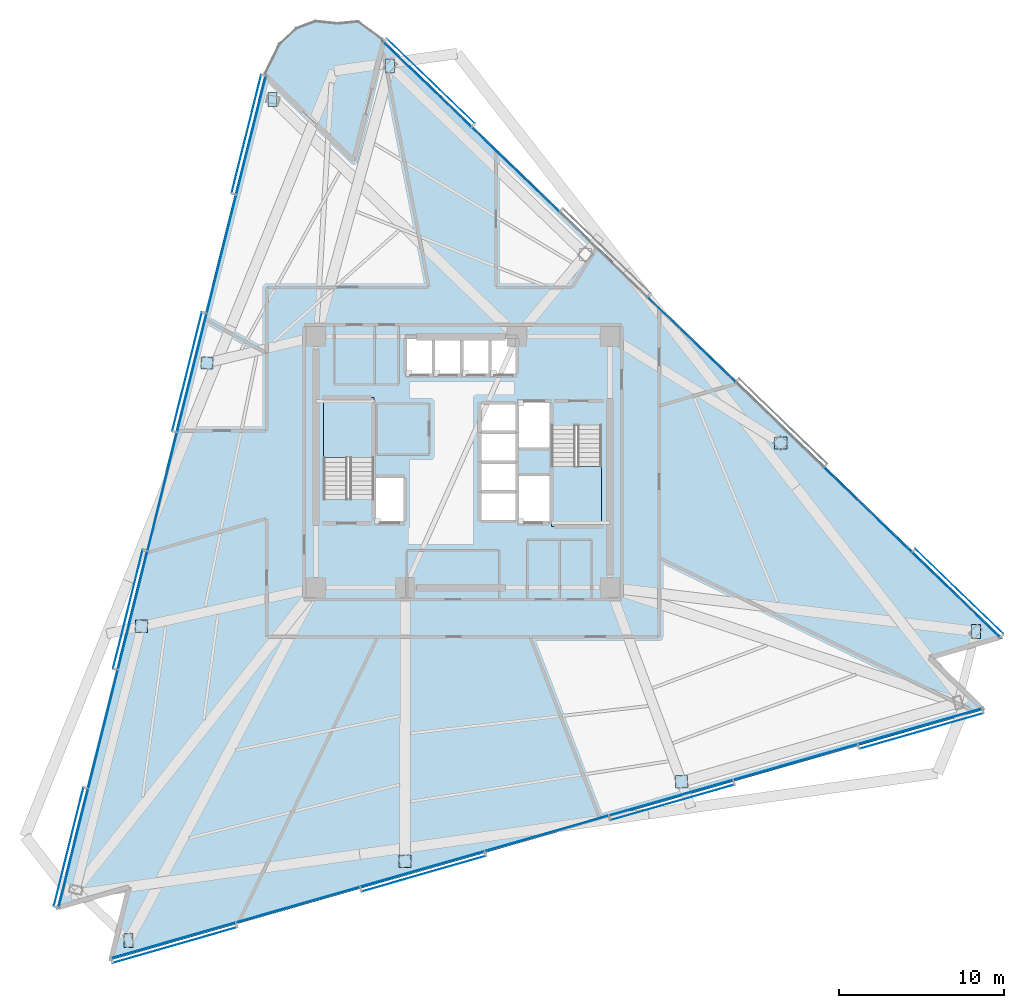
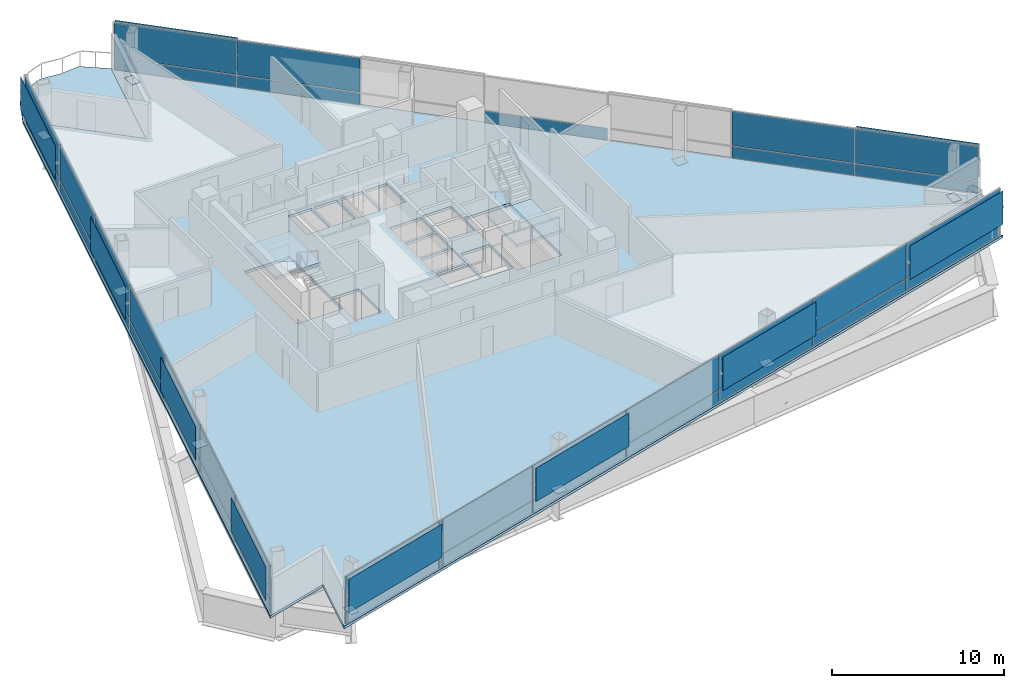
# One storey, part 10 of 21: 56 plates, 4 slabs, 5 elements without a shape of their own.
"""IFC4 building model written with IfcOpenShell, lengths in metres."""

import ifcopenshell
import ifcopenshell.guid

model = None  # the IFC model being written
_history = None  # IfcOwnerHistory: only IFC2X3 demands one
_inside = {}  # id of a spatial element -> (the spatial element, [elements in it])
_under = {}  # id of a project, library or spatial element -> (it, [spatial elements below it])
_declared = {}  # id of a project -> (the project, [libraries it declares])
_typed = {}  # id of a type object -> (the type object, [elements of that type])
_made_of = {}  # id of a material, layer set ... -> (it, [elements and type objects made of it])


def new_model(schema):
    """Start an empty IFC model of exactly this schema.

    Asked for "IFC4X3", IfcOpenShell would pick the latest addendum, in which some entities
    have other attributes; the version numbers below select the first issue.
    IFC2X3 requires an IfcOwnerHistory on every rooted entity: one is made here for all.
    """
    global model, _history
    if schema == "IFC4X3":
        model = ifcopenshell.file(schema_version=(4, 3, 0, 0))
    else:
        model = ifcopenshell.file(schema=schema)
    _inside.clear()
    _under.clear()
    _declared.clear()
    _typed.clear()
    _made_of.clear()
    _history = None
    if model.schema == "IFC2X3":
        org = make("IfcOrganization", Name="unknown")
        user = make(
            "IfcPersonAndOrganization",
            ThePerson=make("IfcPerson", FamilyName="unknown"),
            TheOrganization=org,
        )
        app = make(
            "IfcApplication",
            ApplicationDeveloper=org,
            Version="unknown",
            ApplicationFullName="unknown",
            ApplicationIdentifier="unknown",
        )
        _history = make(
            "IfcOwnerHistory",
            OwningUser=user,
            OwningApplication=app,
            ChangeAction="ADDED",
            CreationDate=0,
        )
    return model


def make(cls, **values):
    """One entity of the class cls with the attributes given. An attribute that is None is left unset."""
    return model.create_entity(
        cls, **{name: value for name, value in values.items() if value is not None}
    )


def rooted(cls, **values):
    """An entity with a GlobalId (a new one), such as an element, a storey or a relation."""
    return make(cls, GlobalId=ifcopenshell.guid.new(), OwnerHistory=_history, **values)


def si_unit(unit_type, name, prefix=None):
    """IfcSIUnit, for example si_unit("LENGTHUNIT", "METRE", prefix="MILLI")."""
    return make("IfcSIUnit", UnitType=unit_type, Prefix=prefix, Name=name)


def assignment(units):
    """IfcUnitAssignment: the units of a project."""
    return None if units is None else make("IfcUnitAssignment", Units=units)


def point(xyz):
    """IfcCartesianPoint."""
    return None if xyz is None else make("IfcCartesianPoint", Coordinates=xyz)


def direction(xyz):
    """IfcDirection."""
    return None if xyz is None else make("IfcDirection", DirectionRatios=xyz)


def frame(location, z_axis=None, x_axis=None):
    """IfcAxis2Placement3D, a coordinate frame: its origin and axes. An axis left out is left unset."""
    return make(
        "IfcAxis2Placement3D",
        Location=point(location),
        Axis=direction(z_axis),
        RefDirection=direction(x_axis),
    )


def frame_2d(location, x_axis=None):
    """IfcAxis2Placement2D, a coordinate frame in the plane: its origin and x axis."""
    return make(
        "IfcAxis2Placement2D", Location=point(location), RefDirection=direction(x_axis)
    )


def origin():
    """The frame at (0, 0, 0) with its axes left unset."""
    return frame((0.0, 0.0, 0.0))


def origin_2d():
    """The frame at (0, 0) in the plane with its x axis left unset."""
    return frame_2d((0.0, 0.0))


def place(relative_to, where):
    """IfcLocalPlacement: puts the frame where relative to a parent placement (None: the world)."""
    return make(
        "IfcLocalPlacement", PlacementRelTo=relative_to, RelativePlacement=where
    )


def context(
    kind, dimensions, precision=None, world=None, true_north=None, identifier=None
):
    """IfcGeometricRepresentationContext, for example the 3D "Model" context."""
    return make(
        "IfcGeometricRepresentationContext",
        ContextIdentifier=identifier,
        ContextType=kind,
        CoordinateSpaceDimension=dimensions,
        Precision=precision,
        WorldCoordinateSystem=world,
        TrueNorth=true_north,
    )


def subcontext(parent, identifier, kind, view, scale=None):
    """IfcGeometricRepresentationSubContext, for example "Body" below "Model"."""
    return make(
        "IfcGeometricRepresentationSubContext",
        ContextIdentifier=identifier,
        ContextType=kind,
        ParentContext=parent,
        TargetScale=scale,
        TargetView=view,
    )


def project(units=None, contexts=None):
    """IfcProject with its units and contexts."""
    return rooted(
        "IfcProject",
        Name="project",
        RepresentationContexts=contexts,
        UnitsInContext=assignment(units),
    )


def spatial(cls, under=None, at=None, **own):
    """A site, building, storey or space (cls), placed at a placement, below another one or the project."""
    s = rooted(cls, ObjectPlacement=at, **own)
    if under is not None:
        _under.setdefault(under.id(), (under, []))[1].append(s)
    return s


def polyline(points):
    """IfcPolyline through the points."""
    return make("IfcPolyline", Points=[point(p) for p in points])


def profile(cls, at=None, kind="AREA", **sizes):
    """A parametric profile (cls). Its sizes go by their IFC names, for example OverallWidth=200.0."""
    return make(cls, ProfileType=kind, Position=at, **sizes)


def rectangle(**sizes):
    """IfcRectangleProfileDef."""
    return profile("IfcRectangleProfileDef", **sizes)


def outline(outer, holes=None, kind="AREA"):
    """IfcArbitraryClosedProfileDef: a profile drawn as a closed curve; with holes, ...WithVoids."""
    if holes is None:
        return make("IfcArbitraryClosedProfileDef", ProfileType=kind, OuterCurve=outer)
    return make(
        "IfcArbitraryProfileDefWithVoids",
        ProfileType=kind,
        OuterCurve=outer,
        InnerCurves=holes,
    )


def extrude(swept, where, along, depth):
    """IfcExtrudedAreaSolid: the profile swept, set in the frame where, extruded along a direction by depth."""
    return make(
        "IfcExtrudedAreaSolid",
        SweptArea=swept,
        Position=where,
        ExtrudedDirection=direction(along),
        Depth=depth,
    )


def shape(context_of_items, identifier, shape_type, items):
    """IfcShapeRepresentation: the items that make up one representation, for example the "Body"."""
    return make(
        "IfcShapeRepresentation",
        ContextOfItems=context_of_items,
        RepresentationIdentifier=identifier,
        RepresentationType=shape_type,
        Items=items,
    )


def material(Name=None, Category=None):
    """IfcMaterial."""
    return make("IfcMaterial", Name=Name, Category=Category)


def layer(
    of_material, thickness, ventilated=None, Name=None, Category=None, Priority=None
):
    """IfcMaterialLayer: one layer of a wall or slab, of a material (None: an air gap)."""
    return make(
        "IfcMaterialLayer",
        Material=of_material,
        LayerThickness=thickness,
        IsVentilated=ventilated,
        Name=Name,
        Category=Category,
        Priority=Priority,
    )


def layer_set(layers, Name=None):
    """IfcMaterialLayerSet."""
    return make("IfcMaterialLayerSet", MaterialLayers=layers, LayerSetName=Name)


def made_of(thing, what):
    """Note that an element or type object is made of a material, layer set ...; save() writes the relation."""
    if what is not None:
        _made_of.setdefault(what.id(), (what, []))[1].append(thing)
    return thing


def type_object(cls, material=None, **own):
    """A type object (cls), such as IfcWallType, which elements share."""
    return made_of(rooted(cls, **own), material)


def element(
    cls,
    number,
    at=None,
    inside=None,
    cuts=None,
    type_object=None,
    material=None,
    context=None,
    identifier="Body",
    shape_type=None,
    held_by="IfcProductDefinitionShape",
    body=None,
    shapes=None,
    **own,
):
    """One element of the class cls, such as IfcWall. Its Tag is "e" and its number.

    at: its placement. inside: the storey or other place that contains it. cuts: it is an
    opening in that element (IfcRelVoidsElement). A single representation is given by context,
    identifier, shape_type and body (its items); several are given by shapes. held_by: the class
    of the entity that holds the representations. save() writes the other relations.
    """
    e = rooted(cls, Tag="e%d" % number, ObjectPlacement=at, **own)
    if body is not None:
        shapes = [shape(context, identifier, shape_type, body)]
    if shapes is not None:
        e.Representation = make(held_by, Representations=shapes)
    if inside is not None:
        _inside.setdefault(inside.id(), (inside, []))[1].append(e)
    if cuts is not None:
        rooted(
            "IfcRelVoidsElement", RelatingBuildingElement=cuts, RelatedOpeningElement=e
        )
    if type_object is not None:
        _typed.setdefault(type_object.id(), (type_object, []))[1].append(e)
    return made_of(e, material)


def aggregate(whole, parts):
    """IfcRelAggregates: a whole, such as a stair, and the parts it consists of."""
    return rooted("IfcRelAggregates", RelatingObject=whole, RelatedObjects=parts)


def save(model, path):
    """Write the relations noted so far, then the file.

    IfcRelAggregates (storeys below a building ...), IfcRelContainedInSpatialStructure (elements
    in a storey), IfcRelDefinesByType, IfcRelAssociatesMaterial and IfcRelDeclares: one each for
    every whole, place, type object, material and project.
    """
    for whole, parts in _under.values():
        aggregate(whole, parts)
    for where, things in _inside.values():
        rooted(
            "IfcRelContainedInSpatialStructure",
            RelatedElements=things,
            RelatingStructure=where,
        )
    for kind, things in _typed.values():
        rooted("IfcRelDefinesByType", RelatedObjects=things, RelatingType=kind)
    for what, things in _made_of.values():
        rooted("IfcRelAssociatesMaterial", RelatedObjects=things, RelatingMaterial=what)
    for by, libraries in _declared.values():
        rooted("IfcRelDeclares", RelatingContext=by, RelatedDefinitions=libraries)
    model.write(path)


model = new_model("IFC4")

# Units and contexts
model_context = context("Model", 3, precision=1e-05, world=origin(), true_north=direction((0.0, 1.0)))
body_context = subcontext(model_context, "Body", "Model", "MODEL_VIEW")
ifc_project = project(units=[si_unit("LENGTHUNIT", "METRE"), si_unit("AREAUNIT", "SQUARE_METRE"), si_unit("VOLUMEUNIT", "CUBIC_METRE"), si_unit("PLANEANGLEUNIT", "RADIAN"), si_unit("MASSUNIT", "GRAM", prefix="KILO")], contexts=[model_context])

# Site, building, storey
site_placement = place(None, origin())
site = spatial("IfcSite", under=ifc_project, at=site_placement, CompositionType="ELEMENT")
building_placement = place(site_placement, origin())
building = spatial("IfcBuilding", under=site, at=building_placement, Name="Tharavind Bronze Gate", CompositionType="ELEMENT")
storey_placement = place(building_placement, frame((0.0, 0.0, 86.10009765625)))
storey = spatial("IfcBuildingStorey", under=building, at=storey_placement, Name="L21", CompositionType="ELEMENT", Elevation=86.10009765625)

# Plates
ifc_material_1 = material(Name="Perforated Bronze Alloy", Category="bronze")
ifc_layer_1 = layer(ifc_material_1, 0.011962890625)
ifc_layer_set_1 = layer_set([ifc_layer_1], Name="Perforated Bronze Alloy")
plate_type_1 = type_object("IfcPlateType", Name="BRONZE PERFORATED SOLAR SCREEN", PredefinedType="USERDEFINED", material=ifc_layer_set_1)
for number, where, z_axis, x_axis, name in (
    (1, (-13.11669921875, 19.86865234375, 0.96630859375), (0.0, 0.0, 1.0), (-0.2419218956, -0.970295726276, 0.0), "CW-L21-S1 perforated bronze solar screen 1"),
    (2, (-16.7041015625, 5.480712890625, 0.96630859375), (0.0, 0.0, 1.0), (-0.2419218956, -0.970295726276, 0.0), "CW-L21-S1 perforated bronze solar screen 3"),
    (3, (-20.29150390625, -8.9072265625, 0.96630859375), (0.0, 0.0, 1.0), (-0.2419218956, -0.970295726276, 0.0), "CW-L21-S1 perforated bronze solar screen 5"),
    (4, (-23.878662109375, -23.295166015625, 0.96630859375), (0.0, 0.0, 1.0), (-0.2419218956, -0.970295726276, 0.0), "CW-L21-S1 perforated bronze solar screen 7"),
):
    element("IfcPlate", number, at=place(storey_placement, frame(where, z_axis=z_axis, x_axis=x_axis)), inside=storey, type_object=plate_type_1, Name=name, ObjectType="SCREEN", PredefinedType="USERDEFINED", context=body_context, shape_type="SweptSolid", body=[
        extrude(rectangle(XDim=7.394287109375, YDim=0.011962890625, at=origin_2d()), origin(), (0.0, 0.0, 1.0), 2.376953125),
    ])
for number, where, z_axis, x_axis, name in (
    (5, (-17.447509765625, -29.251220703125, 0.96630859375), (0.0, 0.0, 1.0), (0.961261695938, 0.275637355817, 0.0), "CW-L21-S2 perforated bronze solar screen 1"),
    (6, (-2.380615234375, -24.930908203125, 0.96630859375), (0.0, 0.0, 1.0), (0.961261695938, 0.275637355817, 0.0), "CW-L21-S2 perforated bronze solar screen 3"),
    (7, (12.686279296875, -20.610595703125, 0.96630859375), (0.0, 0.0, 1.0), (0.961261695938, 0.275637355817, 0.0), "CW-L21-S2 perforated bronze solar screen 5"),
    (8, (27.75341796875, -16.290283203125, 0.96630859375), (0.0, 0.0, 1.0), (0.961261695938, 0.275637355817, 0.0), "CW-L21-S2 perforated bronze solar screen 7"),
):
    element("IfcPlate", number, at=place(storey_placement, frame(where, z_axis=z_axis, x_axis=x_axis)), inside=storey, type_object=plate_type_1, Name=name, ObjectType="SCREEN", PredefinedType="USERDEFINED", context=body_context, shape_type="SweptSolid", body=[
        extrude(rectangle(XDim=7.817138671875, YDim=0.011962890625, at=origin_2d()), origin(), (0.0, 0.0, 1.0), 2.376953125),
    ])
for number, where, z_axis, x_axis, name in (
    (9, (30.05126953125, -7.8310546875, 0.96630859375), (0.0, 0.0, 1.0), (-0.719341012745, 0.694657114973, 0.0), "CW-L21-S3 perforated bronze solar screen 1"),
    (10, (-1.94873046875, 23.07080078125, 0.96630859375), (0.0, 0.0, 1.0), (-0.719341012745, 0.694657114973, 0.0), "CW-L21-S3 perforated bronze solar screen 7"),
):
    element("IfcPlate", number, at=place(storey_placement, frame(where, z_axis=z_axis, x_axis=x_axis)), inside=storey, type_object=plate_type_1, Name=name, ObjectType="SCREEN", PredefinedType="USERDEFINED", context=body_context, shape_type="SweptSolid", body=[
        extrude(rectangle(XDim=7.394287109375, YDim=0.011962890625, at=origin_2d()), origin(), (0.0, 0.0, 1.0), 2.376953125),
    ])

# Curtain wall, plates
ifc_material_2 = material(Name="Anodised Bronze Aluminium", Category="aluminium")
ifc_layer_2 = layer(ifc_material_2, 0.219970703125)
ifc_layer_set_2 = layer_set([ifc_layer_2], Name="Anodised Bronze Aluminium")
curtain_wall_type = type_object("IfcCurtainWallType", Name="UNITISED CURTAIN WALL LOWER OFFICE", PredefinedType="USERDEFINED", material=ifc_layer_set_2)
curtain_wall_1_placement = place(storey_placement, origin())
curtain_wall_1 = element("IfcCurtainWall", 11, at=curtain_wall_1_placement, inside=storey, type_object=curtain_wall_type, Name="L21 unitised curtain wall lower office CW-L21-S1", ObjectType="UNITISED CURTAIN WALL", PredefinedType="USERDEFINED")
ifc_material_3 = material(Name="Patinated Bronze Alloy Sheet", Category="bronze")
ifc_layer_3 = layer(ifc_material_3, 0.01611328125)
ifc_layer_set_3 = layer_set([ifc_layer_3], Name="Patinated Bronze Alloy Sheet")
plate_type_2 = type_object("IfcPlateType", Name="BRONZE SPANDREL CLADDING PANEL 16", PredefinedType="CURTAIN_PANEL", material=ifc_layer_set_3)
plate_1_placement = place(storey_placement, frame((-12.83056640625, 19.797119140625, 0.0263671875), z_axis=(0.0, 0.0, 1.0), x_axis=(-0.2419218956, -0.970295726276, 0.0)))
plate_1 = element("IfcPlate", 12, at=plate_1_placement, type_object=plate_type_2, Name="CW-L21-S1 bronze spandrel panel 1", PredefinedType="CURTAIN_PANEL", context=body_context, shape_type="SweptSolid", body=[
    extrude(rectangle(XDim=7.361083984375, YDim=0.01611328125, at=origin_2d()), origin(), (0.0, 0.0, 1.0), 0.846923828125),
])
plate_2_placement = place(storey_placement, frame((-14.624267578125, 12.603271484375, 0.0263671875), z_axis=(0.0, 0.0, 1.0), x_axis=(-0.2419218956, -0.970295726276, 0.0)))
plate_2 = element("IfcPlate", 13, at=plate_2_placement, type_object=plate_type_2, Name="CW-L21-S1 bronze spandrel panel 2", PredefinedType="CURTAIN_PANEL", context=body_context, shape_type="SweptSolid", body=[
    extrude(rectangle(XDim=7.361083984375, YDim=0.01611328125, at=origin_2d()), origin(), (0.0, 0.0, 1.0), 0.846923828125),
])
plate_3_placement = place(storey_placement, frame((-16.417724609375, 5.4091796875, 0.0263671875), z_axis=(0.0, 0.0, 1.0), x_axis=(-0.2419218956, -0.970295726276, 0.0)))
plate_3 = element("IfcPlate", 14, at=plate_3_placement, type_object=plate_type_2, Name="CW-L21-S1 bronze spandrel panel 3", PredefinedType="CURTAIN_PANEL", context=body_context, shape_type="SweptSolid", body=[
    extrude(rectangle(XDim=7.361083984375, YDim=0.01611328125, at=origin_2d()), origin(), (0.0, 0.0, 1.0), 0.846923828125),
])
plate_4_placement = place(storey_placement, frame((-18.21142578125, -1.78466796875, 0.0263671875), z_axis=(0.0, 0.0, 1.0), x_axis=(-0.2419218956, -0.970295726276, 0.0)))
plate_4 = element("IfcPlate", 15, at=plate_4_placement, type_object=plate_type_2, Name="CW-L21-S1 bronze spandrel panel 4", PredefinedType="CURTAIN_PANEL", context=body_context, shape_type="SweptSolid", body=[
    extrude(rectangle(XDim=7.361083984375, YDim=0.01611328125, at=origin_2d()), origin(), (0.0, 0.0, 1.0), 0.846923828125),
])
plate_5_placement = place(storey_placement, frame((-20.005126953125, -8.978759765625, 0.0263671875), z_axis=(0.0, 0.0, 1.0), x_axis=(-0.2419218956, -0.970295726276, 0.0)))
plate_5 = element("IfcPlate", 16, at=plate_5_placement, type_object=plate_type_2, Name="CW-L21-S1 bronze spandrel panel 5", PredefinedType="CURTAIN_PANEL", context=body_context, shape_type="SweptSolid", body=[
    extrude(rectangle(XDim=7.361083984375, YDim=0.01611328125, at=origin_2d()), origin(), (0.0, 0.0, 1.0), 0.846923828125),
])
plate_6_placement = place(storey_placement, frame((-21.798828125, -16.172607421875, 0.0263671875), z_axis=(0.0, 0.0, 1.0), x_axis=(-0.2419218956, -0.970295726276, 0.0)))
plate_6 = element("IfcPlate", 17, at=plate_6_placement, type_object=plate_type_2, Name="CW-L21-S1 bronze spandrel panel 6", PredefinedType="CURTAIN_PANEL", context=body_context, shape_type="SweptSolid", body=[
    extrude(rectangle(XDim=7.361083984375, YDim=0.01611328125, at=origin_2d()), origin(), (0.0, 0.0, 1.0), 0.846923828125),
])
plate_7_placement = place(storey_placement, frame((-23.592529296875, -23.36669921875, 0.0263671875), z_axis=(0.0, 0.0, 1.0), x_axis=(-0.2419218956, -0.970295726276, 0.0)))
plate_7 = element("IfcPlate", 18, at=plate_7_placement, type_object=plate_type_2, Name="CW-L21-S1 bronze spandrel panel 7", PredefinedType="CURTAIN_PANEL", context=body_context, shape_type="SweptSolid", body=[
    extrude(rectangle(XDim=7.361083984375, YDim=0.01611328125, at=origin_2d()), origin(), (0.0, 0.0, 1.0), 0.846923828125),
])

curtain_wall_2_placement = place(storey_placement, origin())
curtain_wall_2 = element("IfcCurtainWall", 19, at=curtain_wall_2_placement, inside=storey, type_object=curtain_wall_type, Name="L21 unitised curtain wall lower office CW-L21-S2", ObjectType="UNITISED CURTAIN WALL", PredefinedType="USERDEFINED")
plate_8_placement = place(storey_placement, frame((-17.52880859375, -28.9677734375, 0.0263671875), z_axis=(0.0, 0.0, 1.0), x_axis=(0.961261695938, 0.275637355817, 0.0)))
plate_8 = element("IfcPlate", 20, at=plate_8_placement, type_object=plate_type_2, Name="CW-L21-S2 bronze spandrel panel 1", PredefinedType="CURTAIN_PANEL", context=body_context, shape_type="SweptSolid", body=[
    extrude(rectangle(XDim=7.7841796875, YDim=0.01611328125, at=origin_2d()), origin(), (0.0, 0.0, 1.0), 0.846923828125),
])
plate_9_placement = place(storey_placement, frame((-9.995361328125, -26.8076171875, 0.0263671875), z_axis=(0.0, 0.0, 1.0), x_axis=(0.961261695938, 0.275637355817, 0.0)))
plate_9 = element("IfcPlate", 21, at=plate_9_placement, type_object=plate_type_2, Name="CW-L21-S2 bronze spandrel panel 2", PredefinedType="CURTAIN_PANEL", context=body_context, shape_type="SweptSolid", body=[
    extrude(rectangle(XDim=7.7841796875, YDim=0.01611328125, at=origin_2d()), origin(), (0.0, 0.0, 1.0), 0.846923828125),
])
plate_10_placement = place(storey_placement, frame((-2.4619140625, -24.647216796875, 0.0263671875), z_axis=(0.0, 0.0, 1.0), x_axis=(0.961261695938, 0.275637355817, 0.0)))
plate_10 = element("IfcPlate", 22, at=plate_10_placement, type_object=plate_type_2, Name="CW-L21-S2 bronze spandrel panel 3", PredefinedType="CURTAIN_PANEL", context=body_context, shape_type="SweptSolid", body=[
    extrude(rectangle(XDim=7.7841796875, YDim=0.01611328125, at=origin_2d()), origin(), (0.0, 0.0, 1.0), 0.846923828125),
])
plate_11_placement = place(storey_placement, frame((5.07177734375, -22.487060546875, 0.0263671875), z_axis=(0.0, 0.0, 1.0), x_axis=(0.961261695938, 0.275637355817, 0.0)))
plate_11 = element("IfcPlate", 23, at=plate_11_placement, type_object=plate_type_2, Name="CW-L21-S2 bronze spandrel panel 4", PredefinedType="CURTAIN_PANEL", context=body_context, shape_type="SweptSolid", body=[
    extrude(rectangle(XDim=7.7841796875, YDim=0.01611328125, at=origin_2d()), origin(), (0.0, 0.0, 1.0), 0.846923828125),
])
plate_12_placement = place(storey_placement, frame((12.60498046875, -20.326904296875, 0.0263671875), z_axis=(0.0, 0.0, 1.0), x_axis=(0.961261695938, 0.275637355817, 0.0)))
plate_12 = element("IfcPlate", 24, at=plate_12_placement, type_object=plate_type_2, Name="CW-L21-S2 bronze spandrel panel 5", PredefinedType="CURTAIN_PANEL", context=body_context, shape_type="SweptSolid", body=[
    extrude(rectangle(XDim=7.7841796875, YDim=0.01611328125, at=origin_2d()), origin(), (0.0, 0.0, 1.0), 0.846923828125),
])
plate_13_placement = place(storey_placement, frame((20.138671875, -18.166748046875, 0.0263671875), z_axis=(0.0, 0.0, 1.0), x_axis=(0.961261695938, 0.275637355817, 0.0)))
plate_13 = element("IfcPlate", 25, at=plate_13_placement, type_object=plate_type_2, Name="CW-L21-S2 bronze spandrel panel 6", PredefinedType="CURTAIN_PANEL", context=body_context, shape_type="SweptSolid", body=[
    extrude(rectangle(XDim=7.7841796875, YDim=0.01611328125, at=origin_2d()), origin(), (0.0, 0.0, 1.0), 0.846923828125),
])
plate_14_placement = place(storey_placement, frame((27.672119140625, -16.006591796875, 0.0263671875), z_axis=(0.0, 0.0, 1.0), x_axis=(0.961261695938, 0.275637355817, 0.0)))
plate_14 = element("IfcPlate", 26, at=plate_14_placement, type_object=plate_type_2, Name="CW-L21-S2 bronze spandrel panel 7", PredefinedType="CURTAIN_PANEL", context=body_context, shape_type="SweptSolid", body=[
    extrude(rectangle(XDim=7.7841796875, YDim=0.01611328125, at=origin_2d()), origin(), (0.0, 0.0, 1.0), 0.846923828125),
])

curtain_wall_3_placement = place(storey_placement, origin())
curtain_wall_3 = element("IfcCurtainWall", 27, at=curtain_wall_3_placement, inside=storey, type_object=curtain_wall_type, Name="L21 unitised curtain wall lower office CW-L21-S3", ObjectType="UNITISED CURTAIN WALL", PredefinedType="USERDEFINED")
plate_15_placement = place(storey_placement, frame((29.84619140625, -8.043212890625, 0.0263671875), z_axis=(0.0, 0.0, 1.0), x_axis=(-0.719341012745, 0.694657114973, 0.0)))
plate_15 = element("IfcPlate", 28, at=plate_15_placement, type_object=plate_type_2, Name="CW-L21-S3 bronze spandrel panel 1", PredefinedType="CURTAIN_PANEL", context=body_context, shape_type="SweptSolid", body=[
    extrude(rectangle(XDim=7.361083984375, YDim=0.01611328125, at=origin_2d()), origin(), (0.0, 0.0, 1.0), 0.846923828125),
])
plate_16_placement = place(storey_placement, frame((24.512939453125, -2.892822265625, 0.0263671875), z_axis=(0.0, 0.0, 1.0), x_axis=(-0.719341012745, 0.694657114973, 0.0)))
plate_16 = element("IfcPlate", 29, at=plate_16_placement, type_object=plate_type_2, Name="CW-L21-S3 bronze spandrel panel 2", PredefinedType="CURTAIN_PANEL", context=body_context, shape_type="SweptSolid", body=[
    extrude(rectangle(XDim=7.361083984375, YDim=0.01611328125, at=origin_2d()), origin(), (0.0, 0.0, 1.0), 0.846923828125),
])
plate_17_placement = place(storey_placement, frame((13.84619140625, 7.40771484375, 0.0263671875), z_axis=(0.0, 0.0, 1.0), x_axis=(-0.719341012745, 0.694657114973, 0.0)))
plate_17 = element("IfcPlate", 30, at=plate_17_placement, type_object=plate_type_2, Name="CW-L21-S3 bronze spandrel panel 4", PredefinedType="CURTAIN_PANEL", context=body_context, shape_type="SweptSolid", body=[
    extrude(rectangle(XDim=7.361083984375, YDim=0.01611328125, at=origin_2d()), origin(), (0.0, 0.0, 1.0), 0.846923828125),
])
plate_18_placement = place(storey_placement, frame((3.1796875, 17.70849609375, 0.0263671875), z_axis=(0.0, 0.0, 1.0), x_axis=(-0.719341012745, 0.694657114973, 0.0)))
plate_18 = element("IfcPlate", 31, at=plate_18_placement, type_object=plate_type_2, Name="CW-L21-S3 bronze spandrel panel 6", PredefinedType="CURTAIN_PANEL", context=body_context, shape_type="SweptSolid", body=[
    extrude(rectangle(XDim=7.361083984375, YDim=0.01611328125, at=origin_2d()), origin(), (0.0, 0.0, 1.0), 0.846923828125),
])
plate_19_placement = place(storey_placement, frame((-2.15380859375, 22.858642578125, 0.0263671875), z_axis=(0.0, 0.0, 1.0), x_axis=(-0.719341012745, 0.694657114973, 0.0)))
plate_19 = element("IfcPlate", 32, at=plate_19_placement, type_object=plate_type_2, Name="CW-L21-S3 bronze spandrel panel 7", PredefinedType="CURTAIN_PANEL", context=body_context, shape_type="SweptSolid", body=[
    extrude(rectangle(XDim=7.361083984375, YDim=0.01611328125, at=origin_2d()), origin(), (0.0, 0.0, 1.0), 0.846923828125),
])

# Plate
ifc_material_4 = material(Name="Low-E Double Glazing", Category="glass")
ifc_layer_4 = layer(ifc_material_4, 0.031982421875)
ifc_layer_set_4 = layer_set([ifc_layer_4], Name="Low-E Double Glazing")
plate_type_3 = type_object("IfcPlateType", Name="DOUBLE GLAZED FACADE PANEL 32", PredefinedType="CURTAIN_PANEL", material=ifc_layer_set_4)
plate_20_placement = place(storey_placement, frame((-12.83056640625, 19.797119140625, 0.92626953125), z_axis=(0.0, 0.0, 1.0), x_axis=(-0.2419218956, -0.970295726276, 0.0)))
plate_20 = element("IfcPlate", 33, at=plate_20_placement, type_object=plate_type_3, Name="CW-L21-S1 vision glazing panel 1", PredefinedType="CURTAIN_PANEL", context=body_context, shape_type="SweptSolid", body=[
    extrude(rectangle(XDim=7.361083984375, YDim=0.031982421875, at=origin_2d()), origin(), (0.0, 0.0, 1.0), 2.45703125),
])

plate_21_placement = place(storey_placement, frame((-14.624267578125, 12.603271484375, 0.92626953125), z_axis=(0.0, 0.0, 1.0), x_axis=(-0.2419218956, -0.970295726276, 0.0)))
plate_21 = element("IfcPlate", 34, at=plate_21_placement, type_object=plate_type_3, Name="CW-L21-S1 vision glazing panel 2", PredefinedType="CURTAIN_PANEL", context=body_context, shape_type="SweptSolid", body=[
    extrude(rectangle(XDim=7.361083984375, YDim=0.031982421875, at=origin_2d()), origin(), (0.0, 0.0, 1.0), 2.45703125),
])

plate_22_placement = place(storey_placement, frame((-16.417724609375, 5.4091796875, 0.92626953125), z_axis=(0.0, 0.0, 1.0), x_axis=(-0.2419218956, -0.970295726276, 0.0)))
plate_22 = element("IfcPlate", 35, at=plate_22_placement, type_object=plate_type_3, Name="CW-L21-S1 vision glazing panel 3", PredefinedType="CURTAIN_PANEL", context=body_context, shape_type="SweptSolid", body=[
    extrude(rectangle(XDim=7.361083984375, YDim=0.031982421875, at=origin_2d()), origin(), (0.0, 0.0, 1.0), 2.45703125),
])

plate_23_placement = place(storey_placement, frame((-18.21142578125, -1.78466796875, 0.92626953125), z_axis=(0.0, 0.0, 1.0), x_axis=(-0.2419218956, -0.970295726276, 0.0)))
plate_23 = element("IfcPlate", 36, at=plate_23_placement, type_object=plate_type_3, Name="CW-L21-S1 vision glazing panel 4", PredefinedType="CURTAIN_PANEL", context=body_context, shape_type="SweptSolid", body=[
    extrude(rectangle(XDim=7.361083984375, YDim=0.031982421875, at=origin_2d()), origin(), (0.0, 0.0, 1.0), 2.45703125),
])

plate_24_placement = place(storey_placement, frame((-20.005126953125, -8.978759765625, 0.92626953125), z_axis=(0.0, 0.0, 1.0), x_axis=(-0.2419218956, -0.970295726276, 0.0)))
plate_24 = element("IfcPlate", 37, at=plate_24_placement, type_object=plate_type_3, Name="CW-L21-S1 vision glazing panel 5", PredefinedType="CURTAIN_PANEL", context=body_context, shape_type="SweptSolid", body=[
    extrude(rectangle(XDim=7.361083984375, YDim=0.031982421875, at=origin_2d()), origin(), (0.0, 0.0, 1.0), 2.45703125),
])

plate_25_placement = place(storey_placement, frame((-21.798828125, -16.172607421875, 0.92626953125), z_axis=(0.0, 0.0, 1.0), x_axis=(-0.2419218956, -0.970295726276, 0.0)))
plate_25 = element("IfcPlate", 38, at=plate_25_placement, type_object=plate_type_3, Name="CW-L21-S1 vision glazing panel 6", PredefinedType="CURTAIN_PANEL", context=body_context, shape_type="SweptSolid", body=[
    extrude(rectangle(XDim=7.361083984375, YDim=0.031982421875, at=origin_2d()), origin(), (0.0, 0.0, 1.0), 2.45703125),
])

plate_26_placement = place(storey_placement, frame((-23.592529296875, -23.36669921875, 0.92626953125), z_axis=(0.0, 0.0, 1.0), x_axis=(-0.2419218956, -0.970295726276, 0.0)))
plate_26 = element("IfcPlate", 39, at=plate_26_placement, type_object=plate_type_3, Name="CW-L21-S1 vision glazing panel 7", PredefinedType="CURTAIN_PANEL", context=body_context, shape_type="SweptSolid", body=[
    extrude(rectangle(XDim=7.361083984375, YDim=0.031982421875, at=origin_2d()), origin(), (0.0, 0.0, 1.0), 2.45703125),
])

aggregate(curtain_wall_1, [plate_1, plate_20, plate_2, plate_21, plate_3, plate_22, plate_4, plate_23, plate_5, plate_24, plate_6, plate_25, plate_7, plate_26])

plate_27_placement = place(storey_placement, frame((-17.52880859375, -28.9677734375, 0.92626953125), z_axis=(0.0, 0.0, 1.0), x_axis=(0.961261695938, 0.275637355817, 0.0)))
plate_27 = element("IfcPlate", 40, at=plate_27_placement, type_object=plate_type_3, Name="CW-L21-S2 vision glazing panel 1", PredefinedType="CURTAIN_PANEL", context=body_context, shape_type="SweptSolid", body=[
    extrude(rectangle(XDim=7.7841796875, YDim=0.031982421875, at=origin_2d()), origin(), (0.0, 0.0, 1.0), 2.45703125),
])

plate_28_placement = place(storey_placement, frame((-9.995361328125, -26.8076171875, 0.92626953125), z_axis=(0.0, 0.0, 1.0), x_axis=(0.961261695938, 0.275637355817, 0.0)))
plate_28 = element("IfcPlate", 41, at=plate_28_placement, type_object=plate_type_3, Name="CW-L21-S2 vision glazing panel 2", PredefinedType="CURTAIN_PANEL", context=body_context, shape_type="SweptSolid", body=[
    extrude(rectangle(XDim=7.7841796875, YDim=0.031982421875, at=origin_2d()), origin(), (0.0, 0.0, 1.0), 2.45703125),
])

plate_29_placement = place(storey_placement, frame((-2.4619140625, -24.647216796875, 0.92626953125), z_axis=(0.0, 0.0, 1.0), x_axis=(0.961261695938, 0.275637355817, 0.0)))
plate_29 = element("IfcPlate", 42, at=plate_29_placement, type_object=plate_type_3, Name="CW-L21-S2 vision glazing panel 3", PredefinedType="CURTAIN_PANEL", context=body_context, shape_type="SweptSolid", body=[
    extrude(rectangle(XDim=7.7841796875, YDim=0.031982421875, at=origin_2d()), origin(), (0.0, 0.0, 1.0), 2.45703125),
])

plate_30_placement = place(storey_placement, frame((5.07177734375, -22.487060546875, 0.92626953125), z_axis=(0.0, 0.0, 1.0), x_axis=(0.961261695938, 0.275637355817, 0.0)))
plate_30 = element("IfcPlate", 43, at=plate_30_placement, type_object=plate_type_3, Name="CW-L21-S2 vision glazing panel 4", PredefinedType="CURTAIN_PANEL", context=body_context, shape_type="SweptSolid", body=[
    extrude(rectangle(XDim=7.7841796875, YDim=0.031982421875, at=origin_2d()), origin(), (0.0, 0.0, 1.0), 2.45703125),
])

plate_31_placement = place(storey_placement, frame((12.60498046875, -20.326904296875, 0.92626953125), z_axis=(0.0, 0.0, 1.0), x_axis=(0.961261695938, 0.275637355817, 0.0)))
plate_31 = element("IfcPlate", 44, at=plate_31_placement, type_object=plate_type_3, Name="CW-L21-S2 vision glazing panel 5", PredefinedType="CURTAIN_PANEL", context=body_context, shape_type="SweptSolid", body=[
    extrude(rectangle(XDim=7.7841796875, YDim=0.031982421875, at=origin_2d()), origin(), (0.0, 0.0, 1.0), 2.45703125),
])

plate_32_placement = place(storey_placement, frame((20.138671875, -18.166748046875, 0.92626953125), z_axis=(0.0, 0.0, 1.0), x_axis=(0.961261695938, 0.275637355817, 0.0)))
plate_32 = element("IfcPlate", 45, at=plate_32_placement, type_object=plate_type_3, Name="CW-L21-S2 vision glazing panel 6", PredefinedType="CURTAIN_PANEL", context=body_context, shape_type="SweptSolid", body=[
    extrude(rectangle(XDim=7.7841796875, YDim=0.031982421875, at=origin_2d()), origin(), (0.0, 0.0, 1.0), 2.45703125),
])

plate_33_placement = place(storey_placement, frame((27.672119140625, -16.006591796875, 0.92626953125), z_axis=(0.0, 0.0, 1.0), x_axis=(0.961261695938, 0.275637355817, 0.0)))
plate_33 = element("IfcPlate", 46, at=plate_33_placement, type_object=plate_type_3, Name="CW-L21-S2 vision glazing panel 7", PredefinedType="CURTAIN_PANEL", context=body_context, shape_type="SweptSolid", body=[
    extrude(rectangle(XDim=7.7841796875, YDim=0.031982421875, at=origin_2d()), origin(), (0.0, 0.0, 1.0), 2.45703125),
])

aggregate(curtain_wall_2, [plate_8, plate_27, plate_9, plate_28, plate_10, plate_29, plate_11, plate_30, plate_12, plate_31, plate_13, plate_32, plate_14, plate_33])

plate_34_placement = place(storey_placement, frame((29.84619140625, -8.043212890625, 0.92626953125), z_axis=(0.0, 0.0, 1.0), x_axis=(-0.719341012745, 0.694657114973, 0.0)))
plate_34 = element("IfcPlate", 47, at=plate_34_placement, type_object=plate_type_3, Name="CW-L21-S3 vision glazing panel 1", PredefinedType="CURTAIN_PANEL", context=body_context, shape_type="SweptSolid", body=[
    extrude(rectangle(XDim=7.361083984375, YDim=0.031982421875, at=origin_2d()), origin(), (0.0, 0.0, 1.0), 2.45703125),
])

plate_35_placement = place(storey_placement, frame((24.512939453125, -2.892822265625, 0.92626953125), z_axis=(0.0, 0.0, 1.0), x_axis=(-0.719341012745, 0.694657114973, 0.0)))
plate_35 = element("IfcPlate", 48, at=plate_35_placement, type_object=plate_type_3, Name="CW-L21-S3 vision glazing panel 2", PredefinedType="CURTAIN_PANEL", context=body_context, shape_type="SweptSolid", body=[
    extrude(rectangle(XDim=7.361083984375, YDim=0.031982421875, at=origin_2d()), origin(), (0.0, 0.0, 1.0), 2.45703125),
])

plate_36_placement = place(storey_placement, frame((3.1796875, 17.70849609375, 0.92626953125), z_axis=(0.0, 0.0, 1.0), x_axis=(-0.719341012745, 0.694657114973, 0.0)))
plate_36 = element("IfcPlate", 49, at=plate_36_placement, type_object=plate_type_3, Name="CW-L21-S3 vision glazing panel 6", PredefinedType="CURTAIN_PANEL", context=body_context, shape_type="SweptSolid", body=[
    extrude(rectangle(XDim=7.361083984375, YDim=0.031982421875, at=origin_2d()), origin(), (0.0, 0.0, 1.0), 2.45703125),
])

plate_37_placement = place(storey_placement, frame((-2.15380859375, 22.858642578125, 0.92626953125), z_axis=(0.0, 0.0, 1.0), x_axis=(-0.719341012745, 0.694657114973, 0.0)))
plate_37 = element("IfcPlate", 50, at=plate_37_placement, type_object=plate_type_3, Name="CW-L21-S3 vision glazing panel 7", PredefinedType="CURTAIN_PANEL", context=body_context, shape_type="SweptSolid", body=[
    extrude(rectangle(XDim=7.361083984375, YDim=0.031982421875, at=origin_2d()), origin(), (0.0, 0.0, 1.0), 2.45703125),
])

aggregate(curtain_wall_3, [plate_15, plate_34, plate_16, plate_35, plate_17, plate_18, plate_36, plate_19, plate_37])

# Slab
ifc_material_5 = material(Name="Concrete C40/50", Category="concrete")
ifc_layer_5 = layer(ifc_material_5, 0.179931640625)
ifc_layer_set_5 = layer_set([ifc_layer_5], Name="Concrete C40/50")
slab_type_1 = type_object("IfcSlabType", Name="EXTERIOR BALCONY SLAB 180", PredefinedType="FLOOR", material=ifc_layer_set_5)
slab_1_placement = place(storey_placement, frame((0.0, 0.0, -0.18017578125)))
element("IfcSlab", 51, at=slab_1_placement, inside=storey, type_object=slab_type_1, Name="L21 northeast tree balcony slab", PredefinedType="FLOOR", context=body_context, shape_type="SweptSolid", body=[
    extrude(outline(polyline([(-6.388427734375, 26.752685546875), (-7.6376953125, 26.63525390625), (-8.960693359375, 26.7744140625), (-10.118896484375, 26.33935546875), (-11.130615234375, 25.39306640625), (-11.98876953125, 23.58642578125), (-6.665771484375, 18.446044921875), (-4.87548828125, 25.626220703125), (-6.388427734375, 26.752685546875)])), origin(), (0.0, 0.0, 1.0), 0.18017578125),
])

# Stair, slab
stair_type = type_object("IfcStairType", Name="CORE HALF TURN STAIR 1450", PredefinedType="HALF_TURN_STAIR", material=ifc_material_5)
stair_1_placement = place(storey_placement, origin())
stair_1 = element("IfcStair", 52, at=stair_1_placement, inside=storey, type_object=stair_type, Name="L21 Protected Exit Stair ST1", PredefinedType="HALF_TURN_STAIR")
ifc_layer_6 = layer(ifc_material_5, 0.199951171875)
ifc_layer_set_6 = layer_set([ifc_layer_6], Name="Concrete C40/50")
slab_type_2 = type_object("IfcSlabType", Name="STAIR LANDING SLAB 200", PredefinedType="LANDING", material=ifc_layer_set_6)
slab_2_placement = place(storey_placement, frame((0.0, 0.0, 1.599853515625)))
slab_2 = element("IfcSlab", 53, at=slab_2_placement, type_object=slab_type_2, Name="ST1 landing 1", PredefinedType="LANDING", context=body_context, shape_type="SweptSolid", body=[
    extrude(outline(polyline([(-5.39990234375, 0.27001953125), (-5.39990234375, 3.89990234375), (-8.449951171875, 3.89990234375), (-8.449951171875, 0.27001953125), (-5.39990234375, 0.27001953125)])), origin(), (0.0, 0.0, 1.0), 0.199951171875),
])
aggregate(stair_1, [slab_2])

stair_2_placement = place(storey_placement, origin())
stair_2 = element("IfcStair", 54, at=stair_2_placement, inside=storey, type_object=stair_type, Name="L21 Protected Exit Stair ST2", PredefinedType="HALF_TURN_STAIR")
slab_3_placement = place(storey_placement, frame((0.0, 0.0, 1.599853515625)))
slab_3 = element("IfcSlab", 55, at=slab_3_placement, type_object=slab_type_2, Name="ST2 landing 1", PredefinedType="LANDING", context=body_context, shape_type="SweptSolid", body=[
    extrude(outline(polyline([(5.35009765625, -0.27001953125), (5.35009765625, -3.89990234375), (8.39990234375, -3.89990234375), (8.39990234375, -0.27001953125), (5.35009765625, -0.27001953125)])), origin(), (0.0, 0.0, 1.0), 0.199951171875),
])
aggregate(stair_2, [slab_3])

# Plates
ifc_material_6 = material(Name="Steel S460", Category="steel")
ifc_layer_7 = layer(ifc_material_6, 0.02490234375)
ifc_layer_set_7 = layer_set([ifc_layer_7], Name="Steel S460")
plate_type_4 = type_object("IfcPlateType", Name="STEEL END CAP SHEET 25", PredefinedType="SHEET", material=ifc_layer_set_7)
plate_38_placement = place(storey_placement, frame((-11.520263671875, 21.952392578125, -0.20263671875), z_axis=(0.0, 0.0, 1.0), x_axis=(1.0, 0.0, 0.0)))
element("IfcPlate", 56, at=plate_38_placement, inside=storey, type_object=plate_type_4, Name="Steel end cap plate CAP-COLB-L21-S1C1", PredefinedType="SHEET", context=body_context, shape_type="SweptSolid", body=[
    extrude(rectangle(XDim=0.544921875, YDim=0.844970703125, at=origin_2d()), origin(), (0.0, 0.0, 1.0), 0.02490234375),
])
for number, where, z_axis, x_axis, name in (
    (57, (-15.495849609375, 6.006591796875, -0.20263671875), (0.0, 0.0, 1.0), (1.0, 0.0, 0.0), "Steel end cap plate CAP-COLB-L21-S1C2"),
    (58, (-19.4716796875, -9.93896484375, -0.012451171875), (0.0, 0.0, 1.0), (1.0, 0.0, 0.0), "Steel end cap plate CAP-COLB-L21-S1C3"),
):
    element("IfcPlate", number, at=place(storey_placement, frame(where, z_axis=z_axis, x_axis=x_axis)), inside=storey, type_object=plate_type_4, Name=name, PredefinedType="SHEET", context=body_context, shape_type="SweptSolid", body=[
        extrude(rectangle(XDim=0.7451171875, YDim=0.7451171875, at=origin_2d()), origin(), (0.0, 0.0, 1.0), 0.02490234375),
    ])
plate_39_placement = place(storey_placement, frame((-20.25341796875, -28.96875, -0.012451171875), z_axis=(0.0, 0.0, 1.0), x_axis=(1.0, 0.0, 0.0)))
element("IfcPlate", 59, at=plate_39_placement, inside=storey, type_object=plate_type_4, Name="Steel end cap plate CAP-COLB-L21-S2C1", PredefinedType="SHEET", context=body_context, shape_type="SweptSolid", body=[
    extrude(rectangle(XDim=0.544921875, YDim=0.844970703125, at=origin_2d()), origin(), (0.0, 0.0, 1.0), 0.02490234375),
])
for number, where, z_axis, x_axis, name in (
    (60, (-3.5078125, -24.1669921875, -0.20263671875), (0.0, 0.0, 1.0), (1.0, 0.0, 0.0), "Steel end cap plate CAP-COLB-L21-S2C2"),
    (61, (13.23779296875, -19.365234375, -0.012451171875), (0.0, 0.0, 1.0), (1.0, 0.0, 0.0), "Steel end cap plate CAP-COLB-L21-S2C3"),
):
    element("IfcPlate", number, at=place(storey_placement, frame(where, z_axis=z_axis, x_axis=x_axis)), inside=storey, type_object=plate_type_4, Name=name, PredefinedType="SHEET", context=body_context, shape_type="SweptSolid", body=[
        extrude(rectangle(XDim=0.7451171875, YDim=0.7451171875, at=origin_2d()), origin(), (0.0, 0.0, 1.0), 0.02490234375),
    ])
plate_40_placement = place(storey_placement, frame((31.0576171875, -10.255615234375, -0.012451171875), z_axis=(0.0, 0.0, 1.0), x_axis=(1.0, 0.0, 0.0)))
element("IfcPlate", 62, at=plate_40_placement, inside=storey, type_object=plate_type_4, Name="Steel end cap plate CAP-COLB-L21-S3C1", PredefinedType="SHEET", context=body_context, shape_type="SweptSolid", body=[
    extrude(rectangle(XDim=0.544921875, YDim=0.844970703125, at=origin_2d()), origin(), (0.0, 0.0, 1.0), 0.02490234375),
])
plate_41_placement = place(storey_placement, frame((19.236083984375, 1.160400390625, -0.20263671875), z_axis=(0.0, 0.0, 1.0), x_axis=(1.0, 0.0, 0.0)))
element("IfcPlate", 63, at=plate_41_placement, inside=storey, type_object=plate_type_4, Name="Steel end cap plate CAP-COLB-L21-S3C2", PredefinedType="SHEET", context=body_context, shape_type="SweptSolid", body=[
    extrude(rectangle(XDim=0.7451171875, YDim=0.7451171875, at=origin_2d()), origin(), (0.0, 0.0, 1.0), 0.02490234375),
])
plate_42_placement = place(storey_placement, frame((-4.406982421875, 23.9921875, -0.012451171875), z_axis=(0.0, 0.0, 1.0), x_axis=(1.0, 0.0, 0.0)))
element("IfcPlate", 64, at=plate_42_placement, inside=storey, type_object=plate_type_4, Name="Steel end cap plate CAP-COLB-L21-S3C4", PredefinedType="SHEET", context=body_context, shape_type="SweptSolid", body=[
    extrude(rectangle(XDim=0.544921875, YDim=0.844970703125, at=origin_2d()), origin(), (0.0, 0.0, 1.0), 0.02490234375),
])

# Slab
ifc_layer_8 = layer(ifc_material_5, 0.18994140625)
ifc_layer_set_8 = layer_set([ifc_layer_8], Name="Concrete C40/50")
slab_type_3 = type_object("IfcSlabType", Name="STRUCTURAL FLOOR SLAB 190", PredefinedType="FLOOR", material=ifc_layer_set_8)
slab_4_placement = place(storey_placement, frame((0.0, 0.0, -0.190185546875)))
element("IfcSlab", 65, at=slab_4_placement, inside=storey, type_object=slab_type_3, Name="L21 main structural floor slab", PredefinedType="FLOOR", context=body_context, shape_type="SweptSolid", body=[
    extrude(outline(polyline([(-4.87548828125, 25.626220703125), (-6.665771484375, 18.446044921875), (-11.98876953125, 23.58642578125), (-24.628173828125, -27.107421875), (-20.360107421875, -25.883544921875), (-21.434326171875, -30.191650390625), (31.6328125, -14.974853515625), (28.439208984375, -11.890625), (32.70703125, -10.666748046875), (-4.87548828125, 25.626220703125)]), holes=[polyline([(-5.39990234375, -2.215087890625), (-5.39990234375, 3.89990234375), (-8.449951171875, 3.89990234375), (-8.449951171875, -2.215087890625), (-5.39990234375, -2.215087890625)]), polyline([(5.35009765625, 2.215087890625), (5.35009765625, -3.89990234375), (8.39990234375, -3.89990234375), (8.39990234375, 2.215087890625), (5.35009765625, 2.215087890625)]), polyline([(-3.419921875, 5.330078125), (-1.867431640625, 5.330078125), (-1.867431640625, 7.52001953125), (-3.419921875, 7.52001953125), (-3.419921875, 5.330078125)]), polyline([(-1.70751953125, 5.330078125), (-0.155029296875, 5.330078125), (-0.155029296875, 7.52001953125), (-1.70751953125, 7.52001953125), (-1.70751953125, 5.330078125)]), polyline([(0.0048828125, 5.330078125), (1.5576171875, 5.330078125), (1.5576171875, 7.52001953125), (0.0048828125, 7.52001953125), (0.0048828125, 5.330078125)]), polyline([(1.717529296875, 5.330078125), (3.199951171875, 5.330078125), (3.199951171875, 7.52001953125), (1.717529296875, 7.52001953125), (1.717529296875, 5.330078125)]), polyline([(1.080078125, -3.52001953125), (3.199951171875, -3.52001953125), (3.199951171875, -1.8798828125), (1.080078125, -1.8798828125), (1.080078125, -3.52001953125)]), polyline([(1.080078125, -1.719970703125), (3.199951171875, -1.719970703125), (3.199951171875, -0.080078125), (1.080078125, -0.080078125), (1.080078125, -1.719970703125)]), polyline([(1.080078125, 0.080078125), (3.199951171875, 0.080078125), (3.199951171875, 1.719970703125), (1.080078125, 1.719970703125), (1.080078125, 0.080078125)]), polyline([(1.080078125, 1.8798828125), (3.199951171875, 1.8798828125), (3.199951171875, 3.52001953125), (1.080078125, 3.52001953125), (1.080078125, 1.8798828125)]), polyline([(-5.320068359375, -3.6201171875), (-3.580078125, -3.6201171875), (-3.580078125, -0.929931640625), (-5.320068359375, -0.929931640625), (-5.320068359375, -3.6201171875)]), polyline([(3.360107421875, 0.8798828125), (5.27001953125, 0.8798828125), (5.27001953125, 3.6201171875), (3.360107421875, 3.6201171875), (3.360107421875, 0.8798828125)]), polyline([(3.360107421875, -3.6201171875), (5.27001953125, -3.6201171875), (5.27001953125, -0.830078125), (3.360107421875, -0.830078125), (3.360107421875, -3.6201171875)])]), origin(), (0.0, 0.0, 1.0), 0.190185546875),
])

save(model, "model.ifc")
